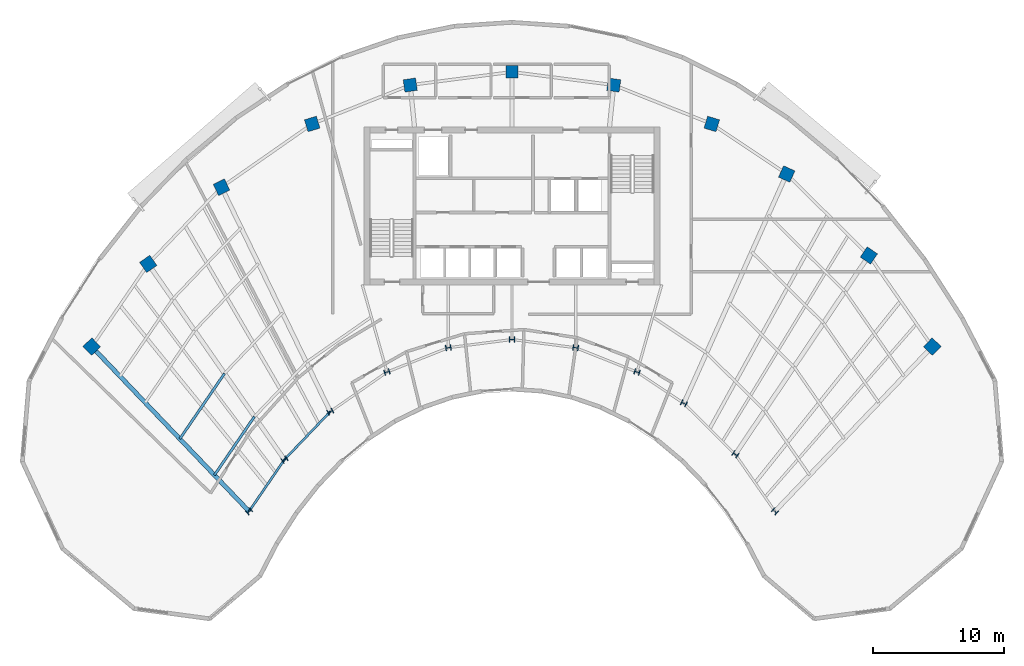
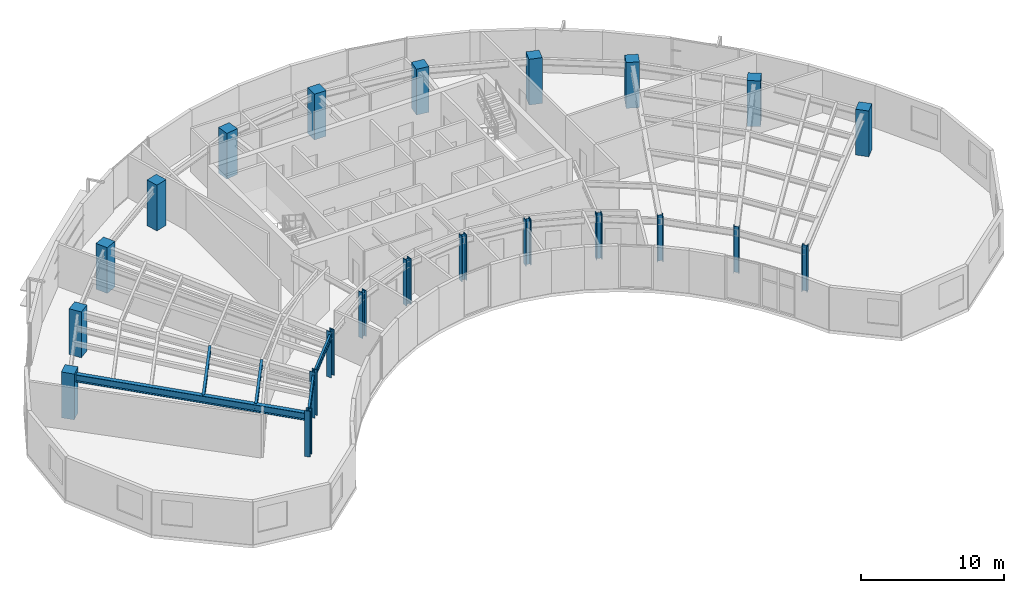
# One storey, part 1 of 14: 22 columns, 5 beams.
"""IFC4 building model written with IfcOpenShell, lengths in metres."""

from ifc_helpers import new_model, si_unit, direction, frame, origin, origin_2d, place, context, subcontext, project, spatial, rectangle, i_section, extrude, source, transform, mapped, material, material_profile, profile_set, type_object, type_shapes, element, save


model = new_model("IFC4")

# Units and contexts
model_context = context("Model", 3, precision=1e-05, world=origin(), true_north=direction((0.0, 1.0)))
body_context = subcontext(model_context, "Body", "Model", "MODEL_VIEW")
ifc_project = project(units=[si_unit("LENGTHUNIT", "METRE"), si_unit("AREAUNIT", "SQUARE_METRE"), si_unit("VOLUMEUNIT", "CUBIC_METRE"), si_unit("PLANEANGLEUNIT", "RADIAN"), si_unit("MASSUNIT", "GRAM", prefix="KILO")], contexts=[model_context])

# Site, building, storey
site_placement = place(None, origin())
site = spatial("IfcSite", under=ifc_project, at=site_placement, CompositionType="ELEMENT")
building_placement = place(site_placement, origin())
building = spatial("IfcBuilding", under=site, at=building_placement, Name="Breltana Convention Tower", CompositionType="ELEMENT")
storey_placement = place(building_placement, frame((0.0, 0.0, 215.699951171875)))
storey = spatial("IfcBuildingStorey", under=building, at=storey_placement, Name="L52", CompositionType="ELEMENT", Elevation=215.699951171875)

# Columns
ifc_material_1 = material(Name="Steel ASTM A992 Grade 50", Category="steel")
ifc_material_profile_1 = material_profile(ifc_material_1, i_section(OverallWidth=0.406005859375, OverallDepth=0.416015625, WebThickness=0.02978515625, FlangeThickness=0.048095703125, at=origin_2d()), Name="W14X257")
ifc_profile_set_1 = profile_set([ifc_material_profile_1], Name="Steel ASTM A992 Grade 50")
column_type_1 = type_object("IfcColumnType", Name="COL-STL-W14X257", PredefinedType="COLUMN", material=ifc_profile_set_1)
shared_shape_1 = source(origin(), body_context, "Body", "SweptSolid", [
    extrude(i_section(OverallWidth=0.406005859375, OverallDepth=0.416015625, WebThickness=0.02978515625, FlangeThickness=0.048095703125, at=origin_2d()), origin(), (0.0, 0.0, 1.0), 3.900146484375),
])
for number, where, z_axis, x_axis, name in (
    (1, (27.984619140625, 42.95458984375, 0.0), (0.0, 0.0, 1.0), (-0.690756218984, 0.723087716626, 0.0), "L52 Tower Column R01-IN"),
    (2, (30.67724609375, 46.892333984375, 0.0), (0.0, 0.0, 1.0), (-0.571143442153, 0.820850271661, 0.0), "L52 Tower Column R02-IN"),
    (3, (34.166259765625, 50.544921875, 0.0), (0.0, 0.0, 1.0), (-0.436173672171, 0.899862504889, 0.0), "L52 Tower Column R03-IN"),
    (4, (38.485107421875, 53.5576171875, 0.0), (0.0, 0.0, 1.0), (-0.288697611798, 0.957420330337, 0.0), "L52 Tower Column R04-IN"),
    (5, (43.153564453125, 55.41064453125, 0.0), (0.0, 0.0, 1.0), (-0.143492621991, 0.98965138682, 0.0), "L52 Tower Column R05-IN"),
    (6, (48.0, 56.035888671875, 0.0), (0.0, 0.0, 1.0), (0.0, 1.0, 0.0), "L52 Tower Column R06-IN"),
    (7, (52.846435546875, 55.41064453125, 0.0), (0.0, 0.0, 1.0), (0.143492621991, 0.98965138682, 0.0), "L52 Tower Column R07-IN"),
    (8, (57.514892578125, 53.5576171875, 0.0), (0.0, 0.0, 1.0), (0.288697611798, 0.957420330337, 0.0), "L52 Tower Column R08-IN"),
    (9, (61.08203125, 51.174560546875, 0.0), (0.0, 0.0, 1.0), (0.409126902895, 0.912477494148, 0.0), "L52 Tower Column R09-IN"),
    (10, (64.995849609375, 47.293701171875, 0.0), (0.0, 0.0, 1.0), (0.55774510898, 0.830012285095, 0.0), "L52 Tower Column R10-IN"),
    (11, (68.015380859375, 42.95458984375, 0.0), (0.0, 0.0, 1.0), (0.690756218984, 0.723087716626, 0.0), "L52 Tower Column R11-IN"),
):
    element("IfcColumn", number, at=place(storey_placement, frame(where, z_axis=z_axis, x_axis=x_axis)), inside=storey, type_object=column_type_1, Name=name, PredefinedType="COLUMN", context=body_context, shape_type="MappedRepresentation", body=[
        mapped(shared_shape_1, transform((0.0, 0.0, 0.0), scale=1.0)),
    ])
ifc_material_2 = material(Name="Concrete C50/60", Category="concrete")
ifc_material_profile_2 = material_profile(ifc_material_2, rectangle(XDim=0.949951171875, YDim=0.949951171875, at=origin_2d()), Name="RC-COL-950X950")
ifc_profile_set_2 = profile_set([ifc_material_profile_2], Name="Concrete C50/60")
column_type_2 = type_object("IfcColumnType", Name="COL-RC-950", PredefinedType="COLUMN", material=ifc_profile_set_2)
shared_shape_2 = source(origin(), body_context, "Body", "SweptSolid", [
    extrude(rectangle(XDim=0.949951171875, YDim=0.949951171875, at=origin_2d()), origin(), (0.0, 0.0, 1.0), 3.900146484375),
])
for number, where, z_axis, x_axis, name in (
    (12, (16.0068359375, 55.494384765625, 0.0), (0.0, 0.0, 1.0), (-0.690756218984, 0.723087716626, 0.0), "L52 Tower Column R01-OUT"),
    (13, (20.310791015625, 61.78857421875, 0.0), (0.0, 0.0, 1.0), (-0.571143442153, 0.820850271661, 0.0), "L52 Tower Column R02-OUT"),
    (14, (25.8876953125, 67.626953125, 0.0), (0.0, 0.0, 1.0), (-0.436173672171, 0.899862504889, 0.0), "L52 Tower Column R03-OUT"),
    (15, (32.791015625, 72.4423828125, 0.0), (0.0, 0.0, 1.0), (-0.288697611798, 0.957420330337, 0.0), "L52 Tower Column R04-OUT"),
    (16, (40.253173828125, 75.404296875, 0.0), (0.0, 0.0, 1.0), (-0.143492621991, 0.98965138682, 0.0), "L52 Tower Column R05-OUT"),
    (17, (48.0, 76.404052734375, 0.0), (0.0, 0.0, 1.0), (0.0, 1.0, 0.0), "L52 Tower Column R06-OUT"),
    (18, (55.746826171875, 75.404296875, 0.0), (0.0, 0.0, 1.0), (0.143492621991, 0.98965138682, 0.0), "L52 Tower Column R07-OUT"),
    (19, (63.208984375, 72.4423828125, 0.0), (0.0, 0.0, 1.0), (0.288697611798, 0.957420330337, 0.0), "L52 Tower Column R08-OUT"),
    (20, (68.910400390625, 68.63330078125, 0.0), (0.0, 0.0, 1.0), (0.409126902895, 0.912477494148, 0.0), "L52 Tower Column R09-OUT"),
    (21, (75.166748046875, 62.43017578125, 0.0), (0.0, 0.0, 1.0), (0.55774510898, 0.830012285095, 0.0), "L52 Tower Column R10-OUT"),
    (22, (79.9931640625, 55.494384765625, 0.0), (0.0, 0.0, 1.0), (0.690756218984, 0.723087716626, 0.0), "L52 Tower Column R11-OUT"),
):
    element("IfcColumn", number, at=place(storey_placement, frame(where, z_axis=z_axis, x_axis=x_axis)), inside=storey, type_object=column_type_2, Name=name, PredefinedType="COLUMN", context=body_context, shape_type="MappedRepresentation", body=[
        mapped(shared_shape_2, transform((0.0, 0.0, 0.0), scale=1.0)),
    ])

# Beams
ifc_material_profile_3 = material_profile(ifc_material_1, i_section(OverallWidth=0.19091796875, OverallDepth=0.4599609375, WebThickness=0.010009765625, FlangeThickness=0.01611328125, at=origin_2d()), Name="W18X55")
ifc_profile_set_3 = profile_set([ifc_material_profile_3], Name="Steel ASTM A992 Grade 50")
beam_type_1 = type_object("IfcBeamType", Name="BM-JSG-07", PredefinedType="JOIST", material=ifc_profile_set_3)
shared_shape_3 = source(origin(), body_context, "Body", "SweptSolid", [
    extrude(i_section(OverallWidth=0.19091796875, OverallDepth=0.4599609375, WebThickness=0.010009765625, FlangeThickness=0.01611328125, at=origin_2d()), origin(), (0.0, 0.0, 1.0), 5.3984375),
])
type_shapes(beam_type_1, [shared_shape_3])
beam_1_placement = place(storey_placement, frame((25.349365234375, 45.71337890625, 3.41015625), z_axis=(0.564440705434, 0.825473615599, 0.0), x_axis=(-0.825473615599, 0.564440705434, 0.0)))
element("IfcBeam", 23, at=beam_1_placement, inside=storey, type_object=beam_type_1, Name="L52 Composite Floor Joist 01.1", PredefinedType="JOIST", context=body_context, shape_type="MappedRepresentation", body=[
    mapped(shared_shape_3, transform((0.0, 0.0, 0.0), scale=1.0)),
])
shared_shape_4 = source(origin(), body_context, "Body", "SweptSolid", [
    extrude(i_section(OverallWidth=0.19091796875, OverallDepth=0.4599609375, WebThickness=0.010009765625, FlangeThickness=0.01611328125, at=origin_2d()), origin(), (0.0, 0.0, 1.0), 6.0263671875),
])
beam_2_placement = place(storey_placement, frame((22.71435546875, 48.47216796875, 3.41015625), z_axis=(0.564450071397, 0.825467211281, 0.0), x_axis=(-0.825467211281, 0.564450071397, 0.0)))
element("IfcBeam", 24, at=beam_2_placement, inside=storey, type_object=beam_type_1, Name="L52 Composite Floor Joist 01.2", PredefinedType="JOIST", context=body_context, shape_type="MappedRepresentation", body=[
    mapped(shared_shape_4, transform((0.0, 0.0, 0.0), scale=1.0)),
])
ifc_material_profile_4 = material_profile(ifc_material_1, i_section(OverallWidth=0.166015625, OverallDepth=0.534912109375, WebThickness=0.01025390625, FlangeThickness=0.0166015625, at=origin_2d()), Name="W21X57")
ifc_profile_set_4 = profile_set([ifc_material_profile_4], Name="Steel ASTM A992 Grade 50")
beam_type_2 = type_object("IfcBeamType", Name="BM-BM-W21X57", PredefinedType="BEAM", material=ifc_profile_set_4)
shared_shape_5 = source(origin(), body_context, "Body", "SweptSolid", [
    extrude(i_section(OverallWidth=0.166015625, OverallDepth=0.534912109375, WebThickness=0.01025390625, FlangeThickness=0.0166015625, at=origin_2d()), origin(), (0.0, 0.0, 1.0), 4.770263671875),
])
beam_3_placement = place(storey_placement, frame((27.984619140625, 42.95458984375, 3.37255859375), z_axis=(0.564452719055, 0.82546540082, 0.0), x_axis=(-0.82546540082, 0.564452719055, 0.0)))
element("IfcBeam", 25, at=beam_3_placement, inside=storey, type_object=beam_type_2, Name="L52 Inner Ring Beam 01", PredefinedType="BEAM", context=body_context, shape_type="MappedRepresentation", body=[
    mapped(shared_shape_5, transform((0.0, 0.0, 0.0), scale=1.0)),
])
shared_shape_6 = source(origin(), body_context, "Body", "SweptSolid", [
    extrude(i_section(OverallWidth=0.166015625, OverallDepth=0.534912109375, WebThickness=0.01025390625, FlangeThickness=0.0166015625, at=origin_2d()), origin(), (0.0, 0.0, 1.0), 5.05126953125),
])
beam_4_placement = place(storey_placement, frame((30.67724609375, 46.892333984375, 3.37255859375), z_axis=(0.690729753845, 0.7231129975, 0.0), x_axis=(-0.7231129975, 0.690729753845, 0.0)))
element("IfcBeam", 26, at=beam_4_placement, inside=storey, type_object=beam_type_2, Name="L52 Inner Ring Beam 02", PredefinedType="BEAM", context=body_context, shape_type="MappedRepresentation", body=[
    mapped(shared_shape_6, transform((0.0, 0.0, 0.0), scale=1.0)),
])
ifc_material_profile_5 = material_profile(ifc_material_1, i_section(OverallWidth=0.326904296875, OverallDepth=0.6220703125, WebThickness=0.015380859375, FlangeThickness=0.0244140625, at=origin_2d()), Name="W24X131")
ifc_profile_set_5 = profile_set([ifc_material_profile_5], Name="Steel ASTM A992 Grade 50")
beam_type_3 = type_object("IfcBeamType", Name="BM-RG-W24X131", PredefinedType="USERDEFINED", material=ifc_profile_set_5)
shared_shape_7 = source(origin(), body_context, "Body", "SweptSolid", [
    extrude(i_section(OverallWidth=0.326904296875, OverallDepth=0.6220703125, WebThickness=0.015380859375, FlangeThickness=0.0244140625, at=origin_2d()), origin(), (0.0, 0.0, 1.0), 17.341064453125),
])
type_shapes(beam_type_3, [shared_shape_7])
beam_5_placement = place(storey_placement, frame((27.984619140625, 42.95458984375, 3.3291015625), z_axis=(-0.690716462293, 0.723125693581, 0.0), x_axis=(-0.723125693581, -0.690716462293, 0.0)))
element("IfcBeam", 27, at=beam_5_placement, inside=storey, type_object=beam_type_3, Name="L52 Radial Floor Girder R01", ObjectType="GIRDER", PredefinedType="USERDEFINED", context=body_context, shape_type="MappedRepresentation", body=[
    mapped(shared_shape_7, transform((0.0, 0.0, 0.0), scale=1.0)),
])

save(model, "model.ifc")
